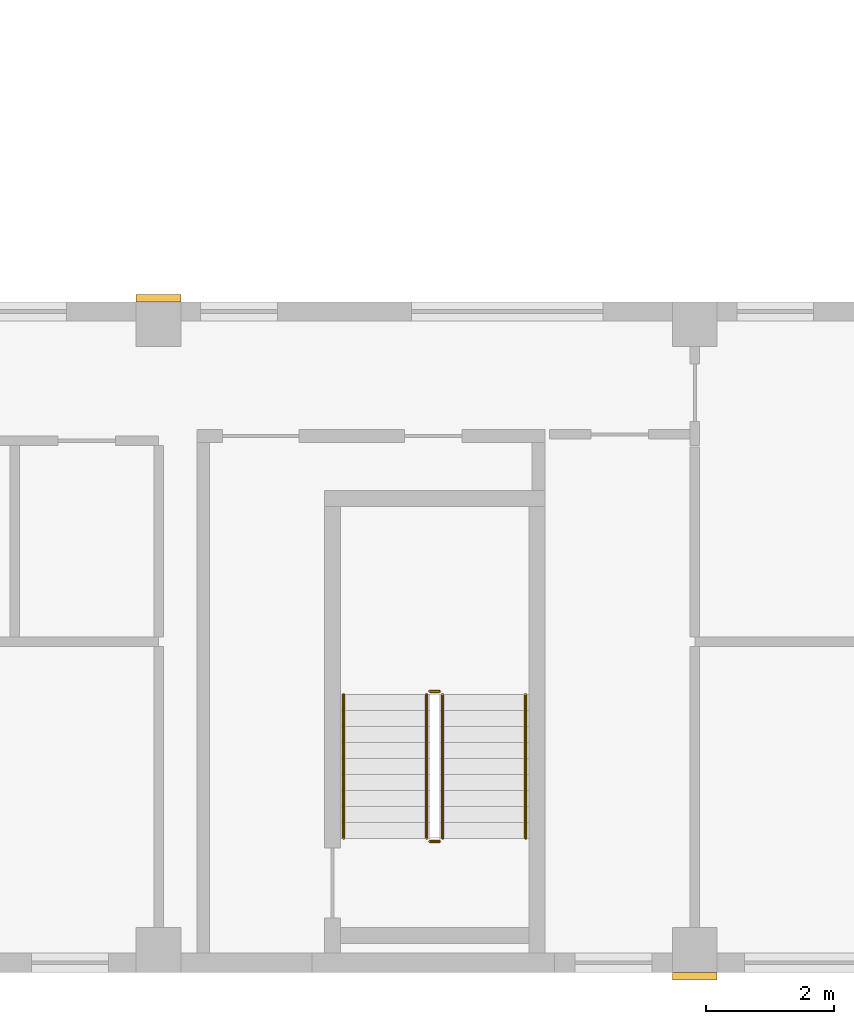
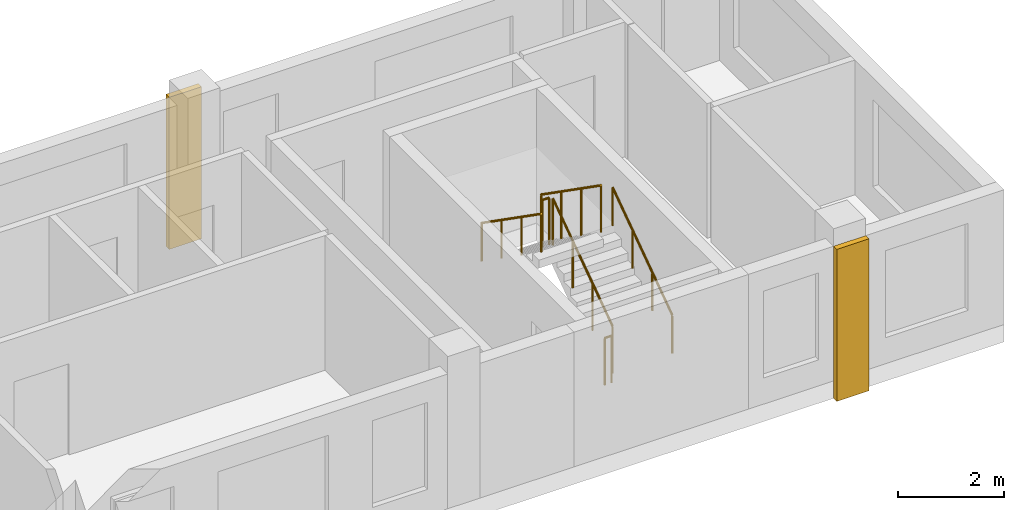
# One storey, part 8 of 9: 6 railings, 2 coverings.
"""IFC4 building model written with IfcOpenShell, lengths in metres."""

from ifc_helpers import new_model, si_unit, direction, frame, origin, origin_2d, place, context, subcontext, project, spatial, rectangle, circle, extrude, source, transform, mapped, material, type_object, element, save


model = new_model("IFC4")

# Units and contexts
model_context = context("Model", 3, precision=1e-05, world=origin(), true_north=direction((0.0, 1.0)))
body_context = subcontext(model_context, "Body", "Model", "MODEL_VIEW")
ifc_project = project(units=[si_unit("LENGTHUNIT", "METRE"), si_unit("AREAUNIT", "SQUARE_METRE"), si_unit("VOLUMEUNIT", "CUBIC_METRE"), si_unit("PLANEANGLEUNIT", "RADIAN"), si_unit("MASSUNIT", "GRAM", prefix="KILO")], contexts=[model_context])

# Site, building, storey
site_placement = place(None, origin())
site = spatial("IfcSite", under=ifc_project, at=site_placement, CompositionType="ELEMENT")
building_placement = place(site_placement, origin())
building = spatial("IfcBuilding", under=site, at=building_placement, Name="Aurelian Terraces", CompositionType="ELEMENT")
storey_placement = place(building_placement, frame((0.0, 0.0, 323.0)))
storey = spatial("IfcBuildingStorey", under=building, at=storey_placement, Name="L75", CompositionType="ELEMENT", Elevation=323.0)

# Coverings
ifc_material_1 = material(Name="Terracotta rainscreen cladding relief", Category="masonry")
covering_type = type_object("IfcCoveringType", Name="BAGUETTE-TC", PredefinedType="CLADDING", material=ifc_material_1)
shared_shape_1 = source(origin(), body_context, "Body", "SweptSolid", [
    extrude(rectangle(XDim=0.7, YDim=0.12, at=origin_2d()), origin(), (0.0, 0.0, 1.0), 3.5),
])
for number, where, z_axis, x_axis, name in (
    (1, (46.2, -0.06, -0.4), (0.0, 0.0, 1.0), (1.0, 0.0, 0.0), "BAGUETTE pier L75 3"),
    (2, (37.8, 10.56, -0.4), (0.0, 0.0, 1.0), (1.0, 0.0, 0.0), "BAGUETTE pier L75 4"),
):
    element("IfcCovering", number, at=place(storey_placement, frame(where, z_axis=z_axis, x_axis=x_axis)), inside=storey, type_object=covering_type, Name=name, PredefinedType="CLADDING", context=body_context, shape_type="MappedRepresentation", body=[
        mapped(shared_shape_1, transform((0.0, 0.0, 0.0), scale=1.0)),
    ])

# Railings
ifc_material_2 = material(Name="Stainless steel", Category="steel")
railing_type_1 = type_object("IfcRailingType", Name="Stair guard 1100", PredefinedType="GUARDRAIL", material=ifc_material_2)
shared_shape_2 = source(origin(), body_context, "Body", "SweptSolid", [
    extrude(circle(Radius=0.024, at=origin_2d()), frame((0.0, 0.0, 1.076), z_axis=(-1.0, 0.0, 0.0), x_axis=(0.0, -1.0, 0.0)), (0.0, 0.0, 1.0), 0.15),
    extrude(circle(Radius=0.021, at=origin_2d()), origin(), (0.0, 0.0, 1.0), 1.052),
    extrude(circle(Radius=0.021, at=origin_2d()), frame((-0.15, 0.0, 0.0)), (0.0, 0.0, 1.0), 1.052),
])
for number, where, name in (
    (3, (42.2, 4.4, 1.75), "L75 S2 stair guard 2"),
    (4, (42.2, 2.05, 0.0), "L75 S2 stair guard 4"),
):
    element("IfcRailing", number, at=place(storey_placement, frame(where)), inside=storey, type_object=railing_type_1, Name=name, PredefinedType="GUARDRAIL", context=body_context, shape_type="MappedRepresentation", body=[
        mapped(shared_shape_2, transform((0.0, 0.0, 0.0), scale=1.0)),
    ])
shared_shape_3 = source(origin(), body_context, "Body", "SweptSolid", [
    extrude(circle(Radius=0.024, at=origin_2d()), frame((0.0, 0.0, 1.076), z_axis=(0.0, 0.819231920519, 0.573462344363), x_axis=(-1.0, 0.0, 0.0)), (0.0, 0.0, 1.0), 2.7465),
    extrude(circle(Radius=0.021, at=origin_2d()), origin(), (0.0, 0.0, 1.0), 1.052),
    extrude(circle(Radius=0.021, at=origin_2d()), frame((0.0, 0.75, 0.525)), (0.0, 0.0, 1.0), 1.052),
    extrude(circle(Radius=0.021, at=origin_2d()), frame((0.0, 1.5, 1.05)), (0.0, 0.0, 1.0), 1.052),
    extrude(circle(Radius=0.021, at=origin_2d()), frame((0.0, 2.25, 1.575)), (0.0, 0.0, 1.0), 1.052),
])
railing_1_placement = place(storey_placement, frame((42.25, 2.1, 0.175)))
element("IfcRailing", 5, at=railing_1_placement, inside=storey, type_object=railing_type_1, Name="L75 S2 stair guard 1", PredefinedType="GUARDRAIL", context=body_context, shape_type="MappedRepresentation", body=[
    mapped(shared_shape_3, transform((0.0, 0.0, 0.0), scale=1.0)),
])
shared_shape_4 = source(origin(), body_context, "Body", "SweptSolid", [
    extrude(circle(Radius=0.024, at=origin_2d()), frame((0.0, 0.0, 1.076), z_axis=(0.0, -0.819231920519, 0.573462344363), x_axis=(1.0, 0.0, 0.0)), (0.0, 0.0, 1.0), 2.7465),
    extrude(circle(Radius=0.021, at=origin_2d()), origin(), (0.0, 0.0, 1.0), 1.052),
    extrude(circle(Radius=0.021, at=origin_2d()), frame((0.0, -0.75, 0.525)), (0.0, 0.0, 1.0), 1.052),
    extrude(circle(Radius=0.021, at=origin_2d()), frame((0.0, -1.5, 1.05)), (0.0, 0.0, 1.0), 1.052),
    extrude(circle(Radius=0.021, at=origin_2d()), frame((0.0, -2.25, 1.575)), (0.0, 0.0, 1.0), 1.052),
])
railing_2_placement = place(storey_placement, frame((42.0, 4.35, 1.925)))
element("IfcRailing", 6, at=railing_2_placement, inside=storey, type_object=railing_type_1, Name="L75 S2 stair guard 3", PredefinedType="GUARDRAIL", context=body_context, shape_type="MappedRepresentation", body=[
    mapped(shared_shape_4, transform((0.0, 0.0, 0.0), scale=1.0)),
])
railing_type_2 = type_object("IfcRailingType", Name="Stair handrail", PredefinedType="HANDRAIL", material=ifc_material_2)
shared_shape_5 = source(origin(), body_context, "Body", "SweptSolid", [
    extrude(circle(Radius=0.024, at=origin_2d()), frame((0.0, 0.0, 0.876), z_axis=(0.0, 0.819231920519, 0.573462344363), x_axis=(-1.0, 0.0, 0.0)), (0.0, 0.0, 1.0), 2.7465),
    extrude(circle(Radius=0.021, at=origin_2d()), origin(), (0.0, 0.0, 1.0), 0.852),
    extrude(circle(Radius=0.021, at=origin_2d()), frame((0.0, 0.75, 0.525)), (0.0, 0.0, 1.0), 0.852),
    extrude(circle(Radius=0.021, at=origin_2d()), frame((0.0, 1.5, 1.05)), (0.0, 0.0, 1.0), 0.852),
    extrude(circle(Radius=0.021, at=origin_2d()), frame((0.0, 2.25, 1.575)), (0.0, 0.0, 1.0), 0.852),
])
railing_3_placement = place(storey_placement, frame((43.55, 2.1, 0.175)))
element("IfcRailing", 7, at=railing_3_placement, inside=storey, type_object=railing_type_2, Name="L75 S2 stair handrail 1", PredefinedType="HANDRAIL", context=body_context, shape_type="MappedRepresentation", body=[
    mapped(shared_shape_5, transform((0.0, 0.0, 0.0), scale=1.0)),
])
shared_shape_6 = source(origin(), body_context, "Body", "SweptSolid", [
    extrude(circle(Radius=0.024, at=origin_2d()), frame((0.0, 0.0, 0.876), z_axis=(0.0, -0.819231920519, 0.573462344363), x_axis=(1.0, 0.0, 0.0)), (0.0, 0.0, 1.0), 2.7465),
    extrude(circle(Radius=0.021, at=origin_2d()), origin(), (0.0, 0.0, 1.0), 0.852),
    extrude(circle(Radius=0.021, at=origin_2d()), frame((0.0, -0.75, 0.525)), (0.0, 0.0, 1.0), 0.852),
    extrude(circle(Radius=0.021, at=origin_2d()), frame((0.0, -1.5, 1.05)), (0.0, 0.0, 1.0), 0.852),
    extrude(circle(Radius=0.021, at=origin_2d()), frame((0.0, -2.25, 1.575)), (0.0, 0.0, 1.0), 0.852),
])
railing_4_placement = place(storey_placement, frame((40.7, 4.35, 1.925)))
element("IfcRailing", 8, at=railing_4_placement, inside=storey, type_object=railing_type_2, Name="L75 S2 stair handrail 2", PredefinedType="HANDRAIL", context=body_context, shape_type="MappedRepresentation", body=[
    mapped(shared_shape_6, transform((0.0, 0.0, 0.0), scale=1.0)),
])

save(model, "model.ifc")
